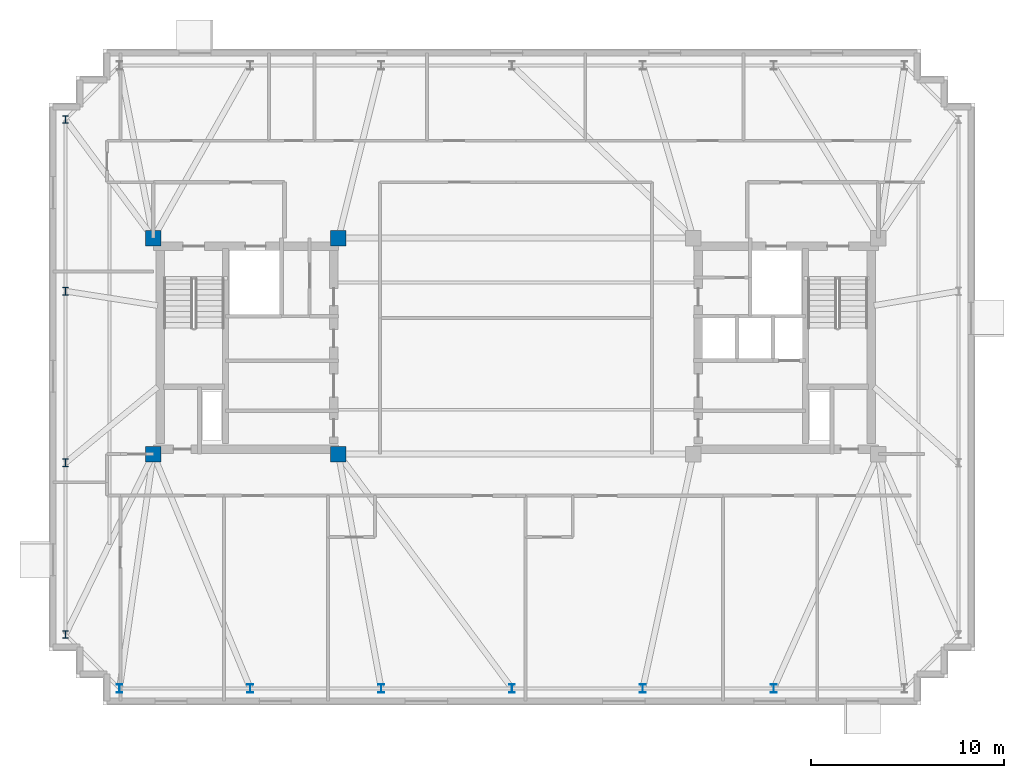
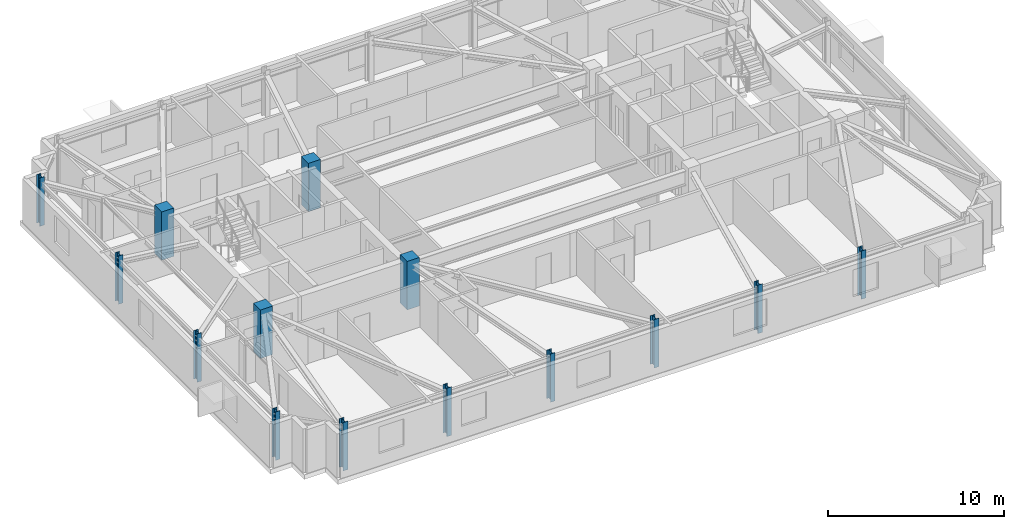
# One storey, part 1 of 11: 14 columns.
"""IFC4 building model written with IfcOpenShell, lengths in metres."""

from ifc_helpers import new_model, si_unit, direction, frame, origin, origin_2d, place, context, subcontext, project, spatial, rectangle, i_section, extrude, material, material_profile, profile_set, type_object, element, save


model = new_model("IFC4")

# Units and contexts
model_context = context("Model", 3, precision=1e-05, world=origin(), true_north=direction((0.0, 1.0)))
body_context = subcontext(model_context, "Body", "Model", "MODEL_VIEW")
ifc_project = project(units=[si_unit("LENGTHUNIT", "METRE"), si_unit("AREAUNIT", "SQUARE_METRE"), si_unit("VOLUMEUNIT", "CUBIC_METRE"), si_unit("PLANEANGLEUNIT", "RADIAN"), si_unit("MASSUNIT", "GRAM", prefix="KILO")], contexts=[model_context])

# Site, building, storey
site_placement = place(None, origin())
site = spatial("IfcSite", under=ifc_project, at=site_placement, CompositionType="ELEMENT")
building_placement = place(site_placement, origin())
building = spatial("IfcBuilding", under=site, at=building_placement, Name="Qobustan Lattice House", CompositionType="ELEMENT")
storey_placement = place(building_placement, frame((0.0, 0.0, 258.449951171875)))
storey = spatial("IfcBuildingStorey", under=building, at=storey_placement, Name="L73", CompositionType="ELEMENT", Elevation=258.449951171875)

# Columns
ifc_material_1 = material(Name="Concrete C50/60", Category="concrete")
ifc_material_profile_1 = material_profile(ifc_material_1, rectangle(XDim=0.800048828125, YDim=0.800048828125, at=origin_2d()), Name="RC800x800")
ifc_profile_set_1 = profile_set([ifc_material_profile_1], Name="Concrete C50/60")
column_type_1 = type_object("IfcColumnType", Name="COL-RC-800", PredefinedType="COLUMN", material=ifc_profile_set_1)
for number, where, z_axis, x_axis, name in (
    (1, (-18.800048828125, -5.60009765625, 0.0), (0.0, 0.0, 1.0), (1.0, 0.0, 0.0), "L73 core mega-column CW-SW"),
    (2, (-18.800048828125, 5.60009765625, 0.0), (0.0, 0.0, 1.0), (1.0, 0.0, 0.0), "L73 core mega-column CW-NW"),
    (3, (-9.199951171875, -5.60009765625, 0.0), (0.0, 0.0, 1.0), (1.0, 0.0, 0.0), "L73 core mega-column CW-SE"),
    (4, (-9.199951171875, 5.60009765625, 0.0), (0.0, 0.0, 1.0), (1.0, 0.0, 0.0), "L73 core mega-column CW-NE"),
):
    element("IfcColumn", number, at=place(storey_placement, frame(where, z_axis=z_axis, x_axis=x_axis)), inside=storey, type_object=column_type_1, Name=name, PredefinedType="COLUMN", context=body_context, shape_type="SweptSolid", body=[
        extrude(rectangle(XDim=0.800048828125, YDim=0.800048828125, at=origin_2d()), origin(), (0.0, 0.0, 1.0), 3.35009765625),
    ])
ifc_material_2 = material(Name="Steel S355", Category="steel")
ifc_material_profile_2 = material_profile(ifc_material_2, i_section(OverallWidth=0.300048828125, OverallDepth=0.39990234375, WebThickness=0.013427734375, FlangeThickness=0.02392578125, FilletRadius=0.027099609375, at=origin_2d()), Name="HEB400")
ifc_profile_set_2 = profile_set([ifc_material_profile_2], Name="Steel S355")
column_type_2 = type_object("IfcColumnType", Name="COL-ST-HEB400", PredefinedType="COLUMN", material=ifc_profile_set_2)
for number, where, z_axis, x_axis, name in (
    (5, (-23.35009765625, 11.75, 0.0), (0.0, 0.0, 1.0), (1.0, 0.0, 0.0), "L73 B5 perimeter column W1"),
    (6, (-23.35009765625, 2.85009765625, 0.0), (0.0, 0.0, 1.0), (1.0, 0.0, 0.0), "L73 B5 perimeter column W2"),
    (7, (-23.35009765625, -6.050048828125, 0.0), (0.0, 0.0, 1.0), (1.0, 0.0, 0.0), "L73 B5 perimeter column W3"),
    (8, (-23.35009765625, -14.949951171875, 0.0), (0.0, 0.0, 1.0), (1.0, 0.0, 0.0), "L73 B5 perimeter column W4"),
):
    element("IfcColumn", number, at=place(storey_placement, frame(where, z_axis=z_axis, x_axis=x_axis)), inside=storey, type_object=column_type_2, Name=name, PredefinedType="COLUMN", context=body_context, shape_type="SweptSolid", body=[
        extrude(i_section(OverallWidth=0.300048828125, OverallDepth=0.39990234375, WebThickness=0.013427734375, FlangeThickness=0.02392578125, FilletRadius=0.027099609375, at=origin_2d()), origin(), (0.0, 0.0, 1.0), 3.35009765625),
    ])
ifc_material_3 = material(Name="Steel S355", Category="steel")
ifc_material_profile_3 = material_profile(ifc_material_3, i_section(OverallWidth=0.300048828125, OverallDepth=0.449951171875, WebThickness=0.013916015625, FlangeThickness=0.02587890625, FilletRadius=0.027099609375, at=origin_2d()), Name="HEB450")
ifc_profile_set_3 = profile_set([ifc_material_profile_3], Name="Steel S355")
column_type_3 = type_object("IfcColumnType", Name="COL-ST-HEB450", PredefinedType="COLUMN", material=ifc_profile_set_3)
for number, where, z_axis, x_axis, name in (
    (9, (-20.550048828125, -17.75, 0.0), (0.0, 0.0, 1.0), (1.0, 0.0, 0.0), "L73 B5 perimeter column S1"),
    (10, (-13.7666015625, -17.75, 0.0), (0.0, 0.0, 1.0), (1.0, 0.0, 0.0), "L73 B5 perimeter column S2"),
    (11, (-6.9833984375, -17.75, 0.0), (0.0, 0.0, 1.0), (1.0, 0.0, 0.0), "L73 B5 perimeter column S3"),
    (12, (-0.199951171875, -17.75, 0.0), (0.0, 0.0, 1.0), (1.0, 0.0, 0.0), "L73 B5 perimeter column S4"),
    (13, (6.583251953125, -17.75, 0.0), (0.0, 0.0, 1.0), (1.0, 0.0, 0.0), "L73 B5 perimeter column S5"),
    (14, (13.36669921875, -17.75, 0.0), (0.0, 0.0, 1.0), (1.0, 0.0, 0.0), "L73 B5 perimeter column S6"),
):
    element("IfcColumn", number, at=place(storey_placement, frame(where, z_axis=z_axis, x_axis=x_axis)), inside=storey, type_object=column_type_3, Name=name, PredefinedType="COLUMN", context=body_context, shape_type="SweptSolid", body=[
        extrude(i_section(OverallWidth=0.300048828125, OverallDepth=0.449951171875, WebThickness=0.013916015625, FlangeThickness=0.02587890625, FilletRadius=0.027099609375, at=origin_2d()), origin(), (0.0, 0.0, 1.0), 3.35009765625),
    ])

save(model, "model.ifc")
